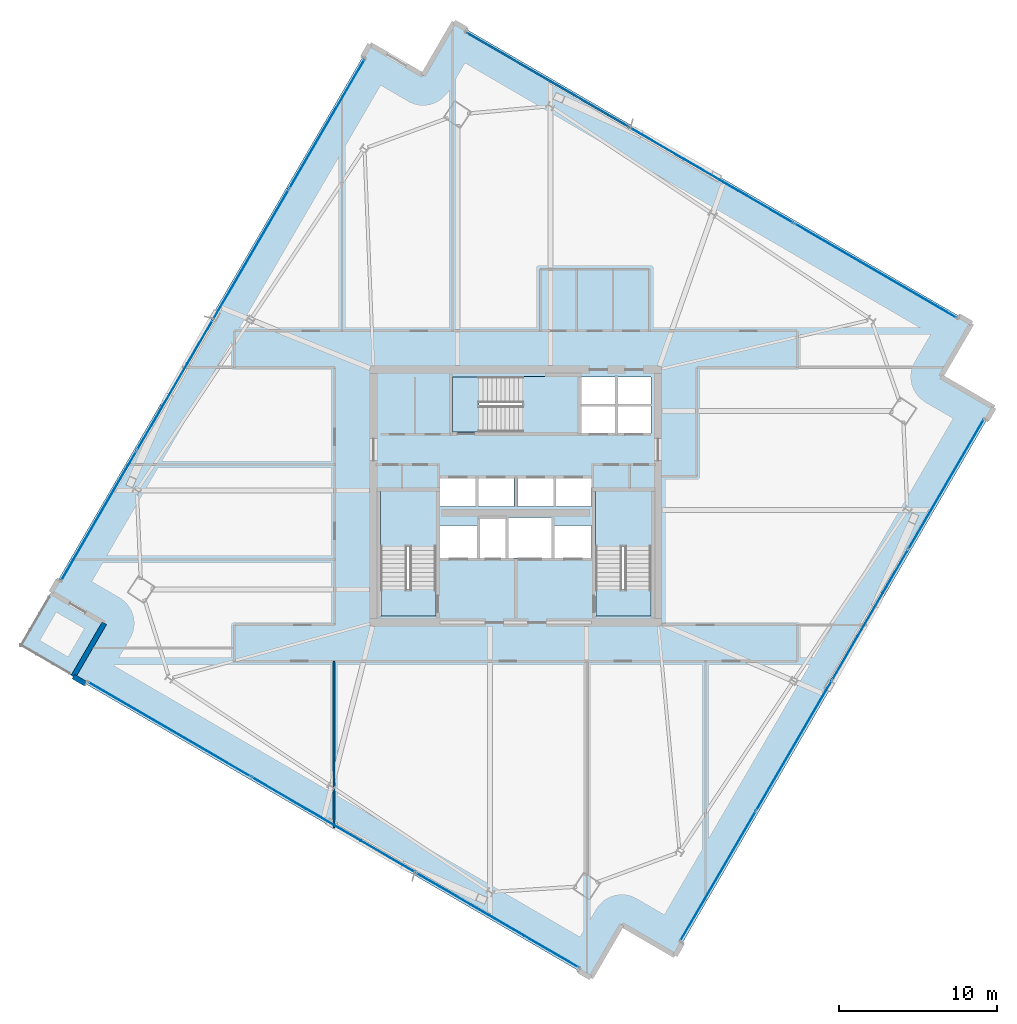
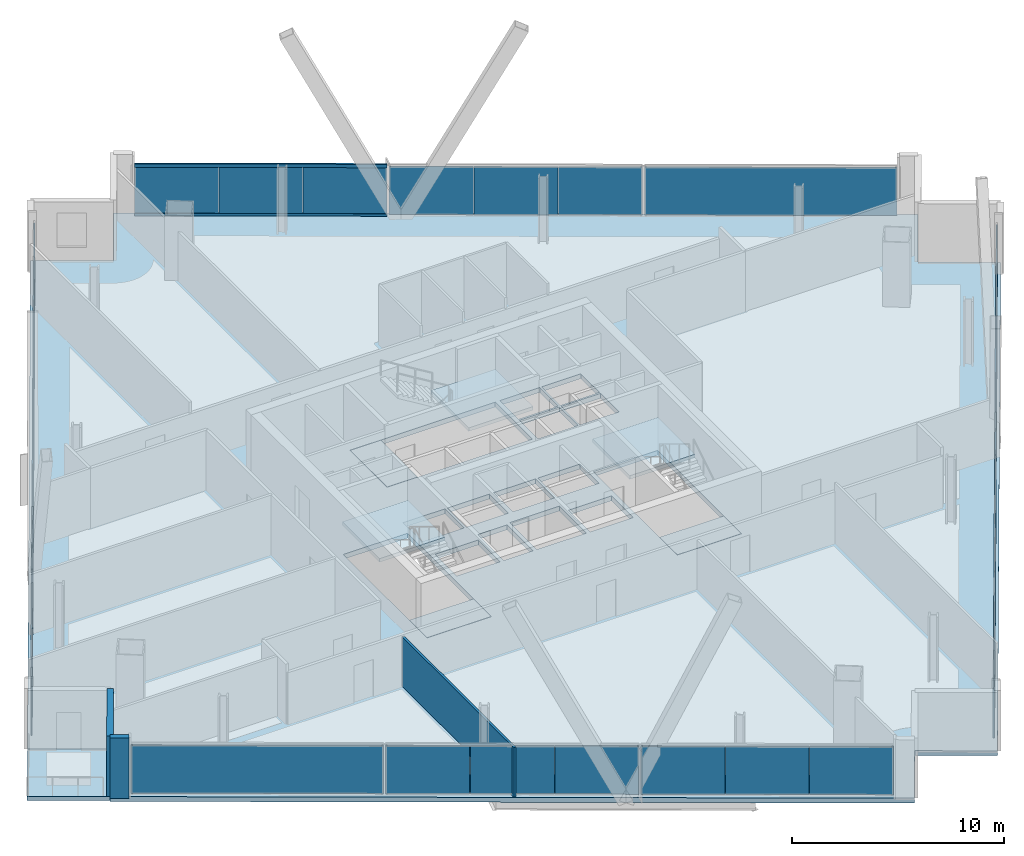
# One storey, part 20 of 29: 26 plates, 8 slabs, 3 walls, 2 members, 7 elements without a shape of their own.
"""IFC4 building model written with IfcOpenShell, lengths in metres."""

import ifcopenshell
import ifcopenshell.guid

model = None  # the IFC model being written
_history = None  # IfcOwnerHistory: only IFC2X3 demands one
_inside = {}  # id of a spatial element -> (the spatial element, [elements in it])
_under = {}  # id of a project, library or spatial element -> (it, [spatial elements below it])
_declared = {}  # id of a project -> (the project, [libraries it declares])
_typed = {}  # id of a type object -> (the type object, [elements of that type])
_made_of = {}  # id of a material, layer set ... -> (it, [elements and type objects made of it])


def new_model(schema):
    """Start an empty IFC model of exactly this schema.

    Asked for "IFC4X3", IfcOpenShell would pick the latest addendum, in which some entities
    have other attributes; the version numbers below select the first issue.
    IFC2X3 requires an IfcOwnerHistory on every rooted entity: one is made here for all.
    """
    global model, _history
    if schema == "IFC4X3":
        model = ifcopenshell.file(schema_version=(4, 3, 0, 0))
    else:
        model = ifcopenshell.file(schema=schema)
    _inside.clear()
    _under.clear()
    _declared.clear()
    _typed.clear()
    _made_of.clear()
    _history = None
    if model.schema == "IFC2X3":
        org = make("IfcOrganization", Name="unknown")
        user = make(
            "IfcPersonAndOrganization",
            ThePerson=make("IfcPerson", FamilyName="unknown"),
            TheOrganization=org,
        )
        app = make(
            "IfcApplication",
            ApplicationDeveloper=org,
            Version="unknown",
            ApplicationFullName="unknown",
            ApplicationIdentifier="unknown",
        )
        _history = make(
            "IfcOwnerHistory",
            OwningUser=user,
            OwningApplication=app,
            ChangeAction="ADDED",
            CreationDate=0,
        )
    return model


def make(cls, **values):
    """One entity of the class cls with the attributes given. An attribute that is None is left unset."""
    return model.create_entity(
        cls, **{name: value for name, value in values.items() if value is not None}
    )


def rooted(cls, **values):
    """An entity with a GlobalId (a new one), such as an element, a storey or a relation."""
    return make(cls, GlobalId=ifcopenshell.guid.new(), OwnerHistory=_history, **values)


def si_unit(unit_type, name, prefix=None):
    """IfcSIUnit, for example si_unit("LENGTHUNIT", "METRE", prefix="MILLI")."""
    return make("IfcSIUnit", UnitType=unit_type, Prefix=prefix, Name=name)


def assignment(units):
    """IfcUnitAssignment: the units of a project."""
    return None if units is None else make("IfcUnitAssignment", Units=units)


def point(xyz):
    """IfcCartesianPoint."""
    return None if xyz is None else make("IfcCartesianPoint", Coordinates=xyz)


def direction(xyz):
    """IfcDirection."""
    return None if xyz is None else make("IfcDirection", DirectionRatios=xyz)


def frame(location, z_axis=None, x_axis=None):
    """IfcAxis2Placement3D, a coordinate frame: its origin and axes. An axis left out is left unset."""
    return make(
        "IfcAxis2Placement3D",
        Location=point(location),
        Axis=direction(z_axis),
        RefDirection=direction(x_axis),
    )


def frame_2d(location, x_axis=None):
    """IfcAxis2Placement2D, a coordinate frame in the plane: its origin and x axis."""
    return make(
        "IfcAxis2Placement2D", Location=point(location), RefDirection=direction(x_axis)
    )


def origin():
    """The frame at (0, 0, 0) with its axes left unset."""
    return frame((0.0, 0.0, 0.0))


def origin_2d():
    """The frame at (0, 0) in the plane with its x axis left unset."""
    return frame_2d((0.0, 0.0))


def place(relative_to, where):
    """IfcLocalPlacement: puts the frame where relative to a parent placement (None: the world)."""
    return make(
        "IfcLocalPlacement", PlacementRelTo=relative_to, RelativePlacement=where
    )


def context(
    kind, dimensions, precision=None, world=None, true_north=None, identifier=None
):
    """IfcGeometricRepresentationContext, for example the 3D "Model" context."""
    return make(
        "IfcGeometricRepresentationContext",
        ContextIdentifier=identifier,
        ContextType=kind,
        CoordinateSpaceDimension=dimensions,
        Precision=precision,
        WorldCoordinateSystem=world,
        TrueNorth=true_north,
    )


def subcontext(parent, identifier, kind, view, scale=None):
    """IfcGeometricRepresentationSubContext, for example "Body" below "Model"."""
    return make(
        "IfcGeometricRepresentationSubContext",
        ContextIdentifier=identifier,
        ContextType=kind,
        ParentContext=parent,
        TargetScale=scale,
        TargetView=view,
    )


def project(units=None, contexts=None):
    """IfcProject with its units and contexts."""
    return rooted(
        "IfcProject",
        Name="project",
        RepresentationContexts=contexts,
        UnitsInContext=assignment(units),
    )


def spatial(cls, under=None, at=None, **own):
    """A site, building, storey or space (cls), placed at a placement, below another one or the project."""
    s = rooted(cls, ObjectPlacement=at, **own)
    if under is not None:
        _under.setdefault(under.id(), (under, []))[1].append(s)
    return s


def polyline(points):
    """IfcPolyline through the points."""
    return make("IfcPolyline", Points=[point(p) for p in points])


def profile(cls, at=None, kind="AREA", **sizes):
    """A parametric profile (cls). Its sizes go by their IFC names, for example OverallWidth=200.0."""
    return make(cls, ProfileType=kind, Position=at, **sizes)


def rectangle(**sizes):
    """IfcRectangleProfileDef."""
    return profile("IfcRectangleProfileDef", **sizes)


def hollow_rectangle(**sizes):
    """IfcRectangleHollowProfileDef."""
    return profile("IfcRectangleHollowProfileDef", **sizes)


def outline(outer, holes=None, kind="AREA"):
    """IfcArbitraryClosedProfileDef: a profile drawn as a closed curve; with holes, ...WithVoids."""
    if holes is None:
        return make("IfcArbitraryClosedProfileDef", ProfileType=kind, OuterCurve=outer)
    return make(
        "IfcArbitraryProfileDefWithVoids",
        ProfileType=kind,
        OuterCurve=outer,
        InnerCurves=holes,
    )


def extrude(swept, where, along, depth):
    """IfcExtrudedAreaSolid: the profile swept, set in the frame where, extruded along a direction by depth."""
    return make(
        "IfcExtrudedAreaSolid",
        SweptArea=swept,
        Position=where,
        ExtrudedDirection=direction(along),
        Depth=depth,
    )


def shape(context_of_items, identifier, shape_type, items):
    """IfcShapeRepresentation: the items that make up one representation, for example the "Body"."""
    return make(
        "IfcShapeRepresentation",
        ContextOfItems=context_of_items,
        RepresentationIdentifier=identifier,
        RepresentationType=shape_type,
        Items=items,
    )


def source(mapping_origin, context_of_items, identifier, shape_type, items):
    """IfcRepresentationMap: a shape defined once, which mapped items show again and again."""
    return make(
        "IfcRepresentationMap",
        MappingOrigin=mapping_origin,
        MappedRepresentation=shape(context_of_items, identifier, shape_type, items),
    )


def transform(
    local_origin,
    x_axis=None,
    y_axis=None,
    z_axis=None,
    scale=None,
    scale2=None,
    scale3=None,
    uniform=True,
):
    """IfcCartesianTransformationOperator3D, or its non-uniform kind. x_axis, y_axis, z_axis: its Axis1, 2, 3."""
    if uniform:
        return make(
            "IfcCartesianTransformationOperator3D",
            Axis1=direction(x_axis),
            Axis2=direction(y_axis),
            LocalOrigin=point(local_origin),
            Scale=scale,
            Axis3=direction(z_axis),
        )
    return make(
        "IfcCartesianTransformationOperator3DnonUniform",
        Axis1=direction(x_axis),
        Axis2=direction(y_axis),
        LocalOrigin=point(local_origin),
        Scale=scale,
        Axis3=direction(z_axis),
        Scale2=scale2,
        Scale3=scale3,
    )


def mapped(mapping_source, mapping_target):
    """IfcMappedItem: shows the shape of a source again, moved by a transform."""
    return make(
        "IfcMappedItem", MappingSource=mapping_source, MappingTarget=mapping_target
    )


def material(Name=None, Category=None):
    """IfcMaterial."""
    return make("IfcMaterial", Name=Name, Category=Category)


def layer(
    of_material, thickness, ventilated=None, Name=None, Category=None, Priority=None
):
    """IfcMaterialLayer: one layer of a wall or slab, of a material (None: an air gap)."""
    return make(
        "IfcMaterialLayer",
        Material=of_material,
        LayerThickness=thickness,
        IsVentilated=ventilated,
        Name=Name,
        Category=Category,
        Priority=Priority,
    )


def layer_set(layers, Name=None):
    """IfcMaterialLayerSet."""
    return make("IfcMaterialLayerSet", MaterialLayers=layers, LayerSetName=Name)


def material_profile(
    of_material, cross_section, Name=None, Category=None, Priority=None
):
    """IfcMaterialProfile: a cross section and its material."""
    return make(
        "IfcMaterialProfile",
        Name=Name,
        Material=of_material,
        Profile=cross_section,
        Priority=Priority,
        Category=Category,
    )


def profile_set(profiles, Name=None, composite=None):
    """IfcMaterialProfileSet."""
    return make(
        "IfcMaterialProfileSet",
        Name=Name,
        MaterialProfiles=profiles,
        CompositeProfile=composite,
    )


def made_of(thing, what):
    """Note that an element or type object is made of a material, layer set ...; save() writes the relation."""
    if what is not None:
        _made_of.setdefault(what.id(), (what, []))[1].append(thing)
    return thing


def type_object(cls, material=None, **own):
    """A type object (cls), such as IfcWallType, which elements share."""
    return made_of(rooted(cls, **own), material)


def element(
    cls,
    number,
    at=None,
    inside=None,
    cuts=None,
    type_object=None,
    material=None,
    context=None,
    identifier="Body",
    shape_type=None,
    held_by="IfcProductDefinitionShape",
    body=None,
    shapes=None,
    **own,
):
    """One element of the class cls, such as IfcWall. Its Tag is "e" and its number.

    at: its placement. inside: the storey or other place that contains it. cuts: it is an
    opening in that element (IfcRelVoidsElement). A single representation is given by context,
    identifier, shape_type and body (its items); several are given by shapes. held_by: the class
    of the entity that holds the representations. save() writes the other relations.
    """
    e = rooted(cls, Tag="e%d" % number, ObjectPlacement=at, **own)
    if body is not None:
        shapes = [shape(context, identifier, shape_type, body)]
    if shapes is not None:
        e.Representation = make(held_by, Representations=shapes)
    if inside is not None:
        _inside.setdefault(inside.id(), (inside, []))[1].append(e)
    if cuts is not None:
        rooted(
            "IfcRelVoidsElement", RelatingBuildingElement=cuts, RelatedOpeningElement=e
        )
    if type_object is not None:
        _typed.setdefault(type_object.id(), (type_object, []))[1].append(e)
    return made_of(e, material)


def aggregate(whole, parts):
    """IfcRelAggregates: a whole, such as a stair, and the parts it consists of."""
    return rooted("IfcRelAggregates", RelatingObject=whole, RelatedObjects=parts)


def save(model, path):
    """Write the relations noted so far, then the file.

    IfcRelAggregates (storeys below a building ...), IfcRelContainedInSpatialStructure (elements
    in a storey), IfcRelDefinesByType, IfcRelAssociatesMaterial and IfcRelDeclares: one each for
    every whole, place, type object, material and project.
    """
    for whole, parts in _under.values():
        aggregate(whole, parts)
    for where, things in _inside.values():
        rooted(
            "IfcRelContainedInSpatialStructure",
            RelatedElements=things,
            RelatingStructure=where,
        )
    for kind, things in _typed.values():
        rooted("IfcRelDefinesByType", RelatedObjects=things, RelatingType=kind)
    for what, things in _made_of.values():
        rooted("IfcRelAssociatesMaterial", RelatedObjects=things, RelatingMaterial=what)
    for by, libraries in _declared.values():
        rooted("IfcRelDeclares", RelatingContext=by, RelatedDefinitions=libraries)
    model.write(path)


model = new_model("IFC4")

# Units and contexts
model_context = context("Model", 3, precision=1e-05, world=origin(), true_north=direction((0.0, 1.0)))
body_context = subcontext(model_context, "Body", "Model", "MODEL_VIEW")
ifc_project = project(units=[si_unit("LENGTHUNIT", "METRE"), si_unit("AREAUNIT", "SQUARE_METRE"), si_unit("VOLUMEUNIT", "CUBIC_METRE"), si_unit("PLANEANGLEUNIT", "RADIAN"), si_unit("MASSUNIT", "GRAM", prefix="KILO")], contexts=[model_context])

# Site, building, storey
site_placement = place(None, origin())
site = spatial("IfcSite", under=ifc_project, at=site_placement, CompositionType="ELEMENT")
building_placement = place(site_placement, origin())
building = spatial("IfcBuilding", under=site, at=building_placement, Name="Haldenkirk Collegiate Tower", CompositionType="ELEMENT")
storey_placement = place(building_placement, frame((0.0, 0.0, 228.449951171875)))
storey = spatial("IfcBuildingStorey", under=building, at=storey_placement, Name="L57", CompositionType="ELEMENT", Elevation=228.449951171875)

# Curtain wall, members
ifc_material_1 = material(Name="Anodised architectural bronze aluminium", Category="aluminium")
curtain_wall_type_1 = type_object("IfcCurtainWallType", Name="CW-SYS1B-CONVEX-HI", PredefinedType="USERDEFINED", material=ifc_material_1)
curtain_wall_1_placement = place(storey_placement, origin())
curtain_wall_1 = element("IfcCurtainWall", 1, at=curtain_wall_1_placement, inside=storey, type_object=curtain_wall_type_1, Name="L57 Upper tower high-wind convex bronze unitised curtain wall", ObjectType="UNITISED CURTAIN WALL", PredefinedType="USERDEFINED")
ifc_material_profile = material_profile(ifc_material_1, hollow_rectangle(XDim=0.0849609375, YDim=0.199951171875, WallThickness=0.0048828125, at=origin_2d()), Name="CW-TRN-1B")
ifc_profile_set = profile_set([ifc_material_profile], Name="Anodised architectural bronze aluminium")
member_type = type_object("IfcMemberType", Name="CW-TRN-1B", PredefinedType="USERDEFINED", material=ifc_profile_set)
member_1_placement = place(storey_placement, frame((32.8623046875, 55.3291015625, 0.04248046875), z_axis=(0.864268212458, -0.503031268346, 0.0), x_axis=(0.503031268346, 0.864268212458, 0.0)))
member_1 = element("IfcMember", 2, at=member_1_placement, type_object=member_type, Name="CW-1B transom 1.1", ObjectType="TRANSOM", PredefinedType="USERDEFINED", context=body_context, shape_type="SweptSolid", body=[
    extrude(hollow_rectangle(XDim=0.0849609375, YDim=0.199951171875, WallThickness=0.0048828125, at=origin_2d()), origin(), (0.0, 0.0, 1.0), 11.897705078125),
])
member_2_placement = place(storey_placement, frame((32.8623046875, 55.3291015625, 2.885498046875), z_axis=(0.864268212458, -0.503031268346, 0.0), x_axis=(0.503031268346, 0.864268212458, 0.0)))
member_2 = element("IfcMember", 3, at=member_2_placement, type_object=member_type, Name="CW-1B transom 1.2", ObjectType="TRANSOM", PredefinedType="USERDEFINED", context=body_context, shape_type="SweptSolid", body=[
    extrude(hollow_rectangle(XDim=0.0849609375, YDim=0.199951171875, WallThickness=0.0048828125, at=origin_2d()), origin(), (0.0, 0.0, 1.0), 11.897705078125),
])

# Slab
ifc_material_2 = material(Name="Concrete f'c 40 MPa", Category="concrete")
ifc_layer_1 = layer(ifc_material_2, 0.280029296875)
ifc_layer_set_1 = layer_set([ifc_layer_1], Name="Concrete f'c 40 MPa")
slab_type_1 = type_object("IfcSlabType", Name="SLB-FLR-280", PredefinedType="FLOOR", material=ifc_layer_set_1)
slab_1_placement = place(storey_placement, frame((0.0, 0.0, -0.280029296875)))
element("IfcSlab", 4, at=slab_1_placement, inside=storey, type_object=slab_type_1, Name="L57 composite structural floor slab", PredefinedType="FLOOR", context=body_context, shape_type="SweptSolid", body=[
    extrude(outline(polyline([(46.07373046875, -3.061767578125), (66.244873046875, 31.595703125), (62.8740234375, 33.5576171875), (64.8359375, 36.92822265625), (32.1015625, 55.97998046875), (30.1396484375, 52.609375), (26.76904296875, 54.5712890625), (6.597900390625, 19.913818359375), (9.968505859375, 17.951904296875), (8.0068359375, 14.581298828125), (40.7412109375, -4.470458984375), (42.702880859375, -1.099853515625), (46.07373046875, -3.061767578125)]), holes=[polyline([(27.449951171875, 18.39990234375), (30.949951171875, 18.39990234375), (30.949951171875, 26.300048828125), (27.449951171875, 26.300048828125), (27.449951171875, 18.39990234375)]), polyline([(41.050048828125, 18.39990234375), (44.550048828125, 18.39990234375), (44.550048828125, 26.300048828125), (41.050048828125, 26.300048828125), (41.050048828125, 18.39990234375)]), polyline([(32.0, 30.050048828125), (39.89990234375, 30.050048828125), (39.89990234375, 33.550048828125), (32.0, 33.550048828125), (32.0, 30.050048828125)]), polyline([(33.75, 22.10009765625), (35.35009765625, 22.10009765625), (35.35009765625, 24.550048828125), (33.75, 24.550048828125), (33.75, 22.10009765625)]), polyline([(40.14990234375, 29.949951171875), (42.320068359375, 29.949951171875), (42.320068359375, 31.699951171875), (40.14990234375, 31.699951171875), (40.14990234375, 29.949951171875)]), polyline([(42.419921875, 29.949951171875), (44.550048828125, 29.949951171875), (44.550048828125, 31.699951171875), (42.419921875, 31.699951171875), (42.419921875, 29.949951171875)]), polyline([(40.14990234375, 31.800048828125), (42.320068359375, 31.800048828125), (42.320068359375, 33.550048828125), (40.14990234375, 33.550048828125), (40.14990234375, 31.800048828125)]), polyline([(42.419921875, 31.800048828125), (44.550048828125, 31.800048828125), (44.550048828125, 33.550048828125), (42.419921875, 33.550048828125), (42.419921875, 31.800048828125)]), polyline([(31.199951171875, 25.35009765625), (33.47998046875, 25.35009765625), (33.47998046875, 27.14990234375), (31.199951171875, 27.14990234375), (31.199951171875, 25.35009765625)]), polyline([(33.60009765625, 25.35009765625), (35.8798828125, 25.35009765625), (35.8798828125, 27.14990234375), (33.60009765625, 27.14990234375), (33.60009765625, 25.35009765625)]), polyline([(36.1201171875, 25.35009765625), (38.39990234375, 25.35009765625), (38.39990234375, 27.14990234375), (36.1201171875, 27.14990234375), (36.1201171875, 25.35009765625)]), polyline([(38.52001953125, 25.35009765625), (40.800048828125, 25.35009765625), (40.800048828125, 27.14990234375), (38.52001953125, 27.14990234375), (38.52001953125, 25.35009765625)]), polyline([(31.199951171875, 22.10009765625), (33.550048828125, 22.10009765625), (33.550048828125, 24.14990234375), (31.199951171875, 24.14990234375), (31.199951171875, 22.10009765625)]), polyline([(38.449951171875, 22.10009765625), (40.800048828125, 22.10009765625), (40.800048828125, 24.14990234375), (38.449951171875, 24.14990234375), (38.449951171875, 22.10009765625)]), polyline([(35.550048828125, 22.10009765625), (38.25, 22.10009765625), (38.25, 24.64990234375), (35.550048828125, 24.64990234375), (35.550048828125, 22.10009765625)])]), origin(), (0.0, 0.0, 1.0), 0.280029296875),
])

# Stair, slab
stair_type = type_object("IfcStairType", Name="STR-DOGLEG-1650", PredefinedType="HALF_TURN_STAIR", material=ifc_material_2)
stair_1_placement = place(storey_placement, origin())
stair_1 = element("IfcStair", 5, at=stair_1_placement, inside=storey, type_object=stair_type, Name="L57 Core Exit Stair ST-1", PredefinedType="HALF_TURN_STAIR")
ifc_layer_2 = layer(ifc_material_2, 0.199951171875)
ifc_layer_set_2 = layer_set([ifc_layer_2], Name="Concrete f'c 40 MPa")
slab_type_2 = type_object("IfcSlabType", Name="SLB-LANDING-200", PredefinedType="LANDING", material=ifc_layer_set_2)
slab_2_placement = place(storey_placement, frame((0.0, 0.0, 1.675048828125)))
slab_2 = element("IfcSlab", 6, at=slab_2_placement, type_object=slab_type_2, Name="ST-1 landing 1", PredefinedType="LANDING", context=body_context, shape_type="SweptSolid", body=[
    extrude(outline(polyline([(30.97509765625, 22.824951171875), (27.425048828125, 22.824951171875), (27.425048828125, 26.324951171875), (30.97509765625, 26.324951171875), (30.97509765625, 22.824951171875)])), origin(), (0.0, 0.0, 1.0), 0.199951171875),
])
aggregate(stair_1, [slab_2])

stair_2_placement = place(storey_placement, origin())
stair_2 = element("IfcStair", 7, at=stair_2_placement, inside=storey, type_object=stair_type, Name="L57 Core Exit Stair ST-2", PredefinedType="HALF_TURN_STAIR")
slab_3_placement = place(storey_placement, frame((0.0, 0.0, 1.675048828125)))
slab_3 = element("IfcSlab", 8, at=slab_3_placement, type_object=slab_type_2, Name="ST-2 landing 1", PredefinedType="LANDING", context=body_context, shape_type="SweptSolid", body=[
    extrude(outline(polyline([(44.574951171875, 22.824951171875), (41.02490234375, 22.824951171875), (41.02490234375, 26.324951171875), (44.574951171875, 26.324951171875), (44.574951171875, 22.824951171875)])), origin(), (0.0, 0.0, 1.0), 0.199951171875),
])
aggregate(stair_2, [slab_3])

stair_3_placement = place(storey_placement, origin())
stair_3 = element("IfcStair", 9, at=stair_3_placement, inside=storey, type_object=stair_type, Name="L57 Core Exit Stair ST-3", PredefinedType="HALF_TURN_STAIR")
slab_4_placement = place(storey_placement, frame((0.0, 0.0, 1.675048828125)))
slab_4 = element("IfcSlab", 10, at=slab_4_placement, type_object=slab_type_2, Name="ST-3 landing 1", PredefinedType="LANDING", context=body_context, shape_type="SweptSolid", body=[
    extrude(outline(polyline([(36.425048828125, 30.02490234375), (36.425048828125, 33.574951171875), (39.925048828125, 33.574951171875), (39.925048828125, 30.02490234375), (36.425048828125, 30.02490234375)])), origin(), (0.0, 0.0, 1.0), 0.199951171875),
])
aggregate(stair_3, [slab_4])

# Slabs
ifc_layer_3 = layer(ifc_material_2, 0.25)
ifc_layer_set_3 = layer_set([ifc_layer_3], Name="Concrete f'c 40 MPa")
slab_type_3 = type_object("IfcSlabType", Name="SLB-STAIRLAND-250", PredefinedType="LANDING", material=ifc_layer_set_3)
slab_5_placement = place(storey_placement, frame((0.0, 0.0, -0.25)))
element("IfcSlab", 11, at=slab_5_placement, inside=storey, type_object=slab_type_3, Name="L57 stair ST1 structural floor landing slab", PredefinedType="LANDING", context=body_context, shape_type="SweptSolid", body=[
    extrude(outline(polyline([(27.4599609375, 18.409912109375), (30.93994140625, 18.409912109375), (30.93994140625, 20.080078125), (27.4599609375, 20.080078125), (27.4599609375, 18.409912109375)])), origin(), (0.0, 0.0, 1.0), 0.25),
])
slab_6_placement = place(storey_placement, frame((0.0, 0.0, -0.25)))
element("IfcSlab", 12, at=slab_6_placement, inside=storey, type_object=slab_type_3, Name="L57 stair ST2 structural floor landing slab", PredefinedType="LANDING", context=body_context, shape_type="SweptSolid", body=[
    extrude(outline(polyline([(41.06005859375, 18.409912109375), (44.5400390625, 18.409912109375), (44.5400390625, 20.080078125), (41.06005859375, 20.080078125), (41.06005859375, 18.409912109375)])), origin(), (0.0, 0.0, 1.0), 0.25),
])
slab_7_placement = place(storey_placement, frame((0.0, 0.0, -0.25)))
element("IfcSlab", 13, at=slab_7_placement, inside=storey, type_object=slab_type_3, Name="L57 stair ST3 structural floor landing slab", PredefinedType="LANDING", context=body_context, shape_type="SweptSolid", body=[
    extrude(outline(polyline([(32.010009765625, 30.06005859375), (33.679931640625, 30.06005859375), (33.679931640625, 33.5400390625), (32.010009765625, 33.5400390625), (32.010009765625, 30.06005859375)])), origin(), (0.0, 0.0, 1.0), 0.25),
])
ifc_layer_4 = layer(ifc_material_2, 0.22998046875)
ifc_layer_set_4 = layer_set([ifc_layer_4], Name="Concrete f'c 40 MPa")
slab_type_4 = type_object("IfcSlabType", Name="SLB-TERR-SPIRAL-230", PredefinedType="FLOOR", material=ifc_layer_set_4)
slab_8_placement = place(storey_placement, frame((0.0, 0.0, -0.22998046875)))
element("IfcSlab", 14, at=slab_8_placement, inside=storey, type_object=slab_type_4, Name="L57 spiralling corner terrace slab", PredefinedType="FLOOR", context=body_context, shape_type="SweptSolid", body=[
    extrude(outline(polyline([(8.0068359375, 14.581298828125), (9.968505859375, 17.951904296875), (6.597900390625, 19.913818359375), (4.635986328125, 16.543212890625), (8.0068359375, 14.581298828125)])), origin(), (0.0, 0.0, 1.0), 0.22998046875),
])

# Curtain wall, plates
curtain_wall_type_2 = type_object("IfcCurtainWallType", Name="CW-SYS2-CONCAVE", PredefinedType="USERDEFINED", material=ifc_material_1)
curtain_wall_2_placement = place(storey_placement, origin())
curtain_wall_2 = element("IfcCurtainWall", 15, at=curtain_wall_2_placement, inside=storey, type_object=curtain_wall_type_2, Name="L57 South concave recessed bronze-anodised curtain wall", ObjectType="UNITISED CURTAIN WALL", PredefinedType="USERDEFINED")
ifc_material_3 = material(Name="Bronze-anodised insulated aluminium spandrel panel", Category="aluminium")
ifc_layer_5 = layer(ifc_material_3, 0.0419921875)
ifc_layer_set_5 = layer_set([ifc_layer_5], Name="Bronze-anodised insulated aluminium spandrel panel")
plate_type_1 = type_object("IfcPlateType", Name="CW-SPD-02", PredefinedType="CURTAIN_PANEL", material=ifc_layer_set_5)
shared_shape_1 = source(origin(), body_context, "Body", "SweptSolid", [
    extrude(rectangle(XDim=3.1416015625, YDim=0.0419921875, at=origin_2d()), origin(), (0.0, 0.0, 1.0), 2.778076171875),
])
plate_1_placement = place(storey_placement, frame((58.411865234375, 18.495361328125, 0.0751953125), z_axis=(0.0, 0.0, 1.0), x_axis=(-0.503018662205, -0.864275549506, 0.0)))
plate_1 = element("IfcPlate", 16, at=plate_1_placement, type_object=plate_type_1, Name="CW-02 spandrel panel 2.1b", PredefinedType="CURTAIN_PANEL", context=body_context, shape_type="MappedRepresentation", body=[
    mapped(shared_shape_1, transform((0.0, 0.0, 0.0), x_axis=(1.0, 0.0, 0.0), y_axis=(0.0, 1.0, 0.0), z_axis=(0.0, 0.0, 1.0), scale=1.0)),
])
shared_shape_2 = source(origin(), body_context, "Body", "SweptSolid", [
    extrude(rectangle(XDim=3.154296875, YDim=0.0419921875, at=origin_2d()), origin(), (0.0, 0.0, 1.0), 2.778076171875),
])
plate_2_placement = place(storey_placement, frame((60.0078125, 21.237548828125, 0.0751953125), z_axis=(0.0, 0.0, 1.0), x_axis=(-0.503018662205, -0.864275549506, 0.0)))
plate_2 = element("IfcPlate", 17, at=plate_2_placement, type_object=plate_type_1, Name="CW-02 spandrel panel 2.1a", PredefinedType="CURTAIN_PANEL", context=body_context, shape_type="MappedRepresentation", body=[
    mapped(shared_shape_2, transform((0.0, 0.0, 0.0), x_axis=(1.0, 0.0, 0.0), y_axis=(0.0, 1.0, 0.0), z_axis=(0.0, 0.0, 1.0), scale=1.0)),
])
ifc_material_4 = material(Name="Low-E argon triple insulating glass", Category="glass")
ifc_layer_6 = layer(ifc_material_4, 0.0419921875)
ifc_layer_set_6 = layer_set([ifc_layer_6], Name="Low-E argon triple insulating glass")
plate_type_2 = type_object("IfcPlateType", Name="CW-PNL-02", PredefinedType="CURTAIN_PANEL", material=ifc_layer_set_6)
plate_3_placement = place(storey_placement, frame((56.81591796875, 15.7529296875, 0.0751953125), z_axis=(0.0, 0.0, 1.0), x_axis=(-0.503018662205, -0.864275549506, 0.0)))
plate_3 = element("IfcPlate", 18, at=plate_3_placement, type_object=plate_type_2, Name="CW-02 panel 2.1c", PredefinedType="CURTAIN_PANEL", context=body_context, shape_type="MappedRepresentation", body=[
    mapped(shared_shape_2, transform((0.0, 0.0, 0.0), x_axis=(1.0, 0.0, 0.0), y_axis=(0.0, 1.0, 0.0), z_axis=(0.0, 0.0, 1.0), scale=1.0)),
])

# Plate
ifc_layer_7 = layer(ifc_material_4, 0.048095703125)
ifc_layer_set_7 = layer_set([ifc_layer_7], Name="Low-E argon triple insulating glass")
plate_type_3 = type_object("IfcPlateType", Name="CW-PNL-1B", PredefinedType="CURTAIN_PANEL", material=ifc_layer_set_7)
shared_shape_3 = source(origin(), body_context, "Body", "SweptSolid", [
    extrude(rectangle(XDim=3.953369140625, YDim=0.048095703125, at=origin_2d()), origin(), (0.0, 0.0, 1.0), 2.758056640625),
])
plate_4_placement = place(storey_placement, frame((34.57080078125, 54.334716796875, 0.0849609375), z_axis=(0.0, 0.0, 1.0), x_axis=(0.864274740858, -0.503020051603, 0.0)))
plate_4 = element("IfcPlate", 19, at=plate_4_placement, type_object=plate_type_3, Name="CW-1B panel 1.1a", PredefinedType="CURTAIN_PANEL", context=body_context, shape_type="MappedRepresentation", body=[
    mapped(shared_shape_3, transform((0.0, 0.0, 0.0), x_axis=(1.0, 0.0, 0.0), y_axis=(0.0, 1.0, 0.0), z_axis=(0.0, 0.0, 1.0), scale=1.0)),
])

ifc_layer_8 = layer(ifc_material_3, 0.048095703125)
ifc_layer_set_8 = layer_set([ifc_layer_8], Name="Bronze-anodised insulated aluminium spandrel panel")
plate_type_4 = type_object("IfcPlateType", Name="CW-SPD-1B", PredefinedType="CURTAIN_PANEL", material=ifc_layer_set_8)
plate_5_placement = place(storey_placement, frame((41.4365234375, 50.338623046875, 0.0849609375), z_axis=(0.0, 0.0, 1.0), x_axis=(0.864274740858, -0.503020051603, 0.0)))
plate_5 = element("IfcPlate", 20, at=plate_5_placement, type_object=plate_type_4, Name="CW-1B spandrel panel 1.1c", PredefinedType="CURTAIN_PANEL", context=body_context, shape_type="MappedRepresentation", body=[
    mapped(shared_shape_3, transform((0.0, 0.0, 0.0), x_axis=(1.0, 0.0, 0.0), y_axis=(0.0, 1.0, 0.0), z_axis=(0.0, 0.0, 1.0), scale=1.0)),
])

# Curtain wall, plates
curtain_wall_3_placement = place(storey_placement, origin())
curtain_wall_3 = element("IfcCurtainWall", 21, at=curtain_wall_3_placement, inside=storey, type_object=curtain_wall_type_1, Name="L57 Upper tower high-wind convex bronze unitised curtain wall", ObjectType="UNITISED CURTAIN WALL", PredefinedType="USERDEFINED")
plate_6_placement = place(storey_placement, frame((38.27197265625, -2.8251953125, 0.0849609375), z_axis=(0.0, 0.0, 1.0), x_axis=(-0.864275945972, 0.503017981006, 0.0)))
plate_6 = element("IfcPlate", 22, at=plate_6_placement, type_object=plate_type_3, Name="CW-1B panel 1.1a", PredefinedType="CURTAIN_PANEL", context=body_context, shape_type="MappedRepresentation", body=[
    mapped(shared_shape_3, transform((0.0, 0.0, 0.0), x_axis=(1.0, 0.0, 0.0), y_axis=(0.0, 1.0, 0.0), z_axis=(0.0, 0.0, 1.0), scale=1.0)),
])
plate_7_placement = place(storey_placement, frame((31.406005859375, 1.1708984375, 0.0849609375), z_axis=(0.0, 0.0, 1.0), x_axis=(-0.864275945972, 0.503017981006, 0.0)))
plate_7 = element("IfcPlate", 23, at=plate_7_placement, type_object=plate_type_4, Name="CW-1B spandrel panel 1.1c", PredefinedType="CURTAIN_PANEL", context=body_context, shape_type="MappedRepresentation", body=[
    mapped(shared_shape_3, transform((0.0, 0.0, 0.0), x_axis=(1.0, 0.0, 0.0), y_axis=(0.0, 1.0, 0.0), z_axis=(0.0, 0.0, 1.0), scale=1.0)),
])

# Plate
shared_shape_4 = source(origin(), body_context, "Body", "SweptSolid", [
    extrude(rectangle(XDim=3.94091796875, YDim=0.048095703125, at=origin_2d()), origin(), (0.0, 0.0, 1.0), 2.758056640625),
])
plate_8_placement = place(storey_placement, frame((38.003662109375, 52.336669921875, 0.0849609375), z_axis=(0.0, 0.0, 1.0), x_axis=(0.864274740858, -0.503020051603, 0.0)))
plate_8 = element("IfcPlate", 24, at=plate_8_placement, type_object=plate_type_3, Name="CW-1B panel 1.1b", PredefinedType="CURTAIN_PANEL", context=body_context, shape_type="MappedRepresentation", body=[
    mapped(shared_shape_4, transform((0.0, 0.0, 0.0), x_axis=(1.0, 0.0, 0.0), y_axis=(0.0, 1.0, 0.0), z_axis=(0.0, 0.0, 1.0), scale=1.0)),
])

plate_9_placement = place(storey_placement, frame((34.839111328125, -0.8271484375, 0.0849609375), z_axis=(0.0, 0.0, 1.0), x_axis=(-0.864275945972, 0.503017981006, 0.0)))
plate_9 = element("IfcPlate", 25, at=plate_9_placement, type_object=plate_type_3, Name="CW-1B panel 1.1b", PredefinedType="CURTAIN_PANEL", context=body_context, shape_type="MappedRepresentation", body=[
    mapped(shared_shape_4, transform((0.0, 0.0, 0.0), x_axis=(1.0, 0.0, 0.0), y_axis=(0.0, 1.0, 0.0), z_axis=(0.0, 0.0, 1.0), scale=1.0)),
])

shared_shape_5 = source(origin(), body_context, "Body", "SweptSolid", [
    extrude(rectangle(XDim=3.967529296875, YDim=0.048095703125, at=origin_2d()), origin(), (0.0, 0.0, 1.0), 2.758056640625),
])
plate_10_placement = place(storey_placement, frame((44.93310546875, 48.3037109375, 0.0849609375), z_axis=(0.0, 0.0, 1.0), x_axis=(0.864274740858, -0.503020051603, 0.0)))
plate_10 = element("IfcPlate", 26, at=plate_10_placement, type_object=plate_type_4, Name="CW-1B spandrel panel 2.1a", PredefinedType="CURTAIN_PANEL", context=body_context, shape_type="MappedRepresentation", body=[
    mapped(shared_shape_5, transform((0.0, 0.0, 0.0), x_axis=(1.0, 0.0, 0.0), y_axis=(0.0, 1.0, 0.0), z_axis=(0.0, 0.0, 1.0), scale=1.0)),
])

plate_11_placement = place(storey_placement, frame((51.823486328125, 44.29345703125, 0.0849609375), z_axis=(0.0, 0.0, 1.0), x_axis=(0.864274740858, -0.503020051603, 0.0)))
plate_11 = element("IfcPlate", 27, at=plate_11_placement, type_object=plate_type_3, Name="CW-1B panel 2.1c", PredefinedType="CURTAIN_PANEL", context=body_context, shape_type="MappedRepresentation", body=[
    mapped(shared_shape_5, transform((0.0, 0.0, 0.0), x_axis=(1.0, 0.0, 0.0), y_axis=(0.0, 1.0, 0.0), z_axis=(0.0, 0.0, 1.0), scale=1.0)),
])

plate_12_placement = place(storey_placement, frame((27.90966796875, 3.205810546875, 0.0849609375), z_axis=(0.0, 0.0, 1.0), x_axis=(-0.864275945972, 0.503017981006, 0.0)))
plate_12 = element("IfcPlate", 28, at=plate_12_placement, type_object=plate_type_4, Name="CW-1B spandrel panel 2.1a", PredefinedType="CURTAIN_PANEL", context=body_context, shape_type="MappedRepresentation", body=[
    mapped(shared_shape_5, transform((0.0, 0.0, 0.0), x_axis=(1.0, 0.0, 0.0), y_axis=(0.0, 1.0, 0.0), z_axis=(0.0, 0.0, 1.0), scale=1.0)),
])

plate_13_placement = place(storey_placement, frame((21.019287109375, 7.21630859375, 0.0849609375), z_axis=(0.0, 0.0, 1.0), x_axis=(-0.864275945972, 0.503017981006, 0.0)))
plate_13 = element("IfcPlate", 29, at=plate_13_placement, type_object=plate_type_3, Name="CW-1B panel 2.1c", PredefinedType="CURTAIN_PANEL", context=body_context, shape_type="MappedRepresentation", body=[
    mapped(shared_shape_5, transform((0.0, 0.0, 0.0), x_axis=(1.0, 0.0, 0.0), y_axis=(0.0, 1.0, 0.0), z_axis=(0.0, 0.0, 1.0), scale=1.0)),
])

shared_shape_6 = source(origin(), body_context, "Body", "SweptSolid", [
    extrude(rectangle(XDim=3.955078125, YDim=0.048095703125, at=origin_2d()), origin(), (0.0, 0.0, 1.0), 2.758056640625),
])
plate_14_placement = place(storey_placement, frame((48.378173828125, 46.298583984375, 0.0849609375), z_axis=(0.0, 0.0, 1.0), x_axis=(0.864274740858, -0.503020051603, 0.0)))
plate_14 = element("IfcPlate", 30, at=plate_14_placement, type_object=plate_type_3, Name="CW-1B panel 2.1b", PredefinedType="CURTAIN_PANEL", context=body_context, shape_type="MappedRepresentation", body=[
    mapped(shared_shape_6, transform((0.0, 0.0, 0.0), x_axis=(1.0, 0.0, 0.0), y_axis=(0.0, 1.0, 0.0), z_axis=(0.0, 0.0, 1.0), scale=1.0)),
])

plate_15_placement = place(storey_placement, frame((24.464599609375, 5.2109375, 0.0849609375), z_axis=(0.0, 0.0, 1.0), x_axis=(-0.864275945972, 0.503017981006, 0.0)))
plate_15 = element("IfcPlate", 31, at=plate_15_placement, type_object=plate_type_3, Name="CW-1B panel 2.1b", PredefinedType="CURTAIN_PANEL", context=body_context, shape_type="MappedRepresentation", body=[
    mapped(shared_shape_6, transform((0.0, 0.0, 0.0), x_axis=(1.0, 0.0, 0.0), y_axis=(0.0, 1.0, 0.0), z_axis=(0.0, 0.0, 1.0), scale=1.0)),
])

# Curtain wall, plates
curtain_wall_4_placement = place(storey_placement, origin())
curtain_wall_4 = element("IfcCurtainWall", 32, at=curtain_wall_4_placement, inside=storey, type_object=curtain_wall_type_1, Name="L57 Upper tower high-wind convex bronze unitised curtain wall", ObjectType="UNITISED CURTAIN WALL", PredefinedType="USERDEFINED")
shared_shape_7 = source(origin(), body_context, "Body", "SweptSolid", [
    extrude(rectangle(XDim=3.15087890625, YDim=0.048095703125, at=origin_2d()), origin(), (0.0, 0.0, 1.0), 2.758056640625),
])
plate_16_placement = place(storey_placement, frame((12.83642578125, 30.27490234375, 0.0849609375), z_axis=(0.0, 0.0, 1.0), x_axis=(0.503019797309, 0.864274888861, 0.0)))
plate_16 = element("IfcPlate", 33, at=plate_16_placement, type_object=plate_type_4, Name="CW-1B spandrel panel 2.1a", PredefinedType="CURTAIN_PANEL", context=body_context, shape_type="MappedRepresentation", body=[
    mapped(shared_shape_7, transform((0.0, 0.0, 0.0), x_axis=(1.0, 0.0, 0.0), y_axis=(0.0, 1.0, 0.0), z_axis=(0.0, 0.0, 1.0), scale=1.0)),
])
plate_17_placement = place(storey_placement, frame((16.025146484375, 35.753662109375, 0.0849609375), z_axis=(0.0, 0.0, 1.0), x_axis=(0.503019797309, 0.864274888861, 0.0)))
plate_17 = element("IfcPlate", 34, at=plate_17_placement, type_object=plate_type_3, Name="CW-1B panel 2.1c", PredefinedType="CURTAIN_PANEL", context=body_context, shape_type="MappedRepresentation", body=[
    mapped(shared_shape_7, transform((0.0, 0.0, 0.0), x_axis=(1.0, 0.0, 0.0), y_axis=(0.0, 1.0, 0.0), z_axis=(0.0, 0.0, 1.0), scale=1.0)),
])
shared_shape_8 = source(origin(), body_context, "Body", "SweptSolid", [
    extrude(rectangle(XDim=3.13818359375, YDim=0.048095703125, at=origin_2d()), origin(), (0.0, 0.0, 1.0), 2.758056640625),
])
plate_18_placement = place(storey_placement, frame((14.430908203125, 33.014404296875, 0.0849609375), z_axis=(0.0, 0.0, 1.0), x_axis=(0.503019797309, 0.864274888861, 0.0)))
plate_18 = element("IfcPlate", 35, at=plate_18_placement, type_object=plate_type_4, Name="CW-1B spandrel panel 2.1b", PredefinedType="CURTAIN_PANEL", context=body_context, shape_type="MappedRepresentation", body=[
    mapped(shared_shape_8, transform((0.0, 0.0, 0.0), x_axis=(1.0, 0.0, 0.0), y_axis=(0.0, 1.0, 0.0), z_axis=(0.0, 0.0, 1.0), scale=1.0)),
])
shared_shape_9 = source(origin(), body_context, "Body", "SweptSolid", [
    extrude(rectangle(XDim=9.489990234375, YDim=0.048095703125, at=origin_2d()), origin(), (0.0, 0.0, 1.0), 2.758056640625),
])
plate_19_placement = place(storey_placement, frame((19.247314453125, 41.289794921875, 0.0849609375), z_axis=(0.0, 0.0, 1.0), x_axis=(0.503019797309, 0.864274888861, 0.0)))
plate_19 = element("IfcPlate", 36, at=plate_19_placement, type_object=plate_type_3, Name="CW-1B panel 3.1", PredefinedType="CURTAIN_PANEL", context=body_context, shape_type="MappedRepresentation", body=[
    mapped(shared_shape_9, transform((0.0, 0.0, 0.0), x_axis=(1.0, 0.0, 0.0), y_axis=(0.0, 1.0, 0.0), z_axis=(0.0, 0.0, 1.0), scale=1.0)),
])
shared_shape_10 = source(origin(), body_context, "Body", "SweptSolid", [
    extrude(rectangle(XDim=9.447509765625, YDim=0.048095703125, at=origin_2d()), origin(), (0.0, 0.0, 1.0), 2.758056640625),
])
plate_20_placement = place(storey_placement, frame((9.625, 24.757080078125, 0.0849609375), z_axis=(0.0, 0.0, 1.0), x_axis=(0.503019797309, 0.864274888861, 0.0)))
plate_20 = element("IfcPlate", 37, at=plate_20_placement, type_object=plate_type_3, Name="CW-1B panel 1.1", PredefinedType="CURTAIN_PANEL", context=body_context, shape_type="MappedRepresentation", body=[
    mapped(shared_shape_10, transform((0.0, 0.0, 0.0), x_axis=(1.0, 0.0, 0.0), y_axis=(0.0, 1.0, 0.0), z_axis=(0.0, 0.0, 1.0), scale=1.0)),
])
plate_21_placement = place(storey_placement, frame((24.052978515625, 49.546875, 0.0849609375), z_axis=(0.0, 0.0, 1.0), x_axis=(0.503019797309, 0.864274888861, 0.0)))
plate_21 = element("IfcPlate", 38, at=plate_21_placement, type_object=plate_type_3, Name="CW-1B panel 4.1", PredefinedType="CURTAIN_PANEL", context=body_context, shape_type="MappedRepresentation", body=[
    mapped(shared_shape_10, transform((0.0, 0.0, 0.0), x_axis=(1.0, 0.0, 0.0), y_axis=(0.0, 1.0, 0.0), z_axis=(0.0, 0.0, 1.0), scale=1.0)),
])
aggregate(curtain_wall_4, [plate_20, plate_16, plate_18, plate_17, plate_19, plate_21])

# Plate
shared_shape_11 = source(origin(), body_context, "Body", "SweptSolid", [
    extrude(rectangle(XDim=11.8974609375, YDim=0.048095703125, at=origin_2d()), origin(), (0.0, 0.0, 1.0), 2.758056640625),
])
plate_22_placement = place(storey_placement, frame((58.752685546875, 40.260498046875, 0.0849609375), z_axis=(0.0, 0.0, 1.0), x_axis=(0.864274740858, -0.503020051603, 0.0)))
plate_22 = element("IfcPlate", 39, at=plate_22_placement, type_object=plate_type_3, Name="CW-1B panel 3.1", PredefinedType="CURTAIN_PANEL", context=body_context, shape_type="MappedRepresentation", body=[
    mapped(shared_shape_11, transform((0.0, 0.0, 0.0), x_axis=(1.0, 0.0, 0.0), y_axis=(0.0, 1.0, 0.0), z_axis=(0.0, 0.0, 1.0), scale=1.0)),
])

aggregate(curtain_wall_1, [member_1, member_2, plate_4, plate_8, plate_5, plate_10, plate_14, plate_11, plate_22])

plate_23_placement = place(storey_placement, frame((14.08984375, 11.2490234375, 0.0849609375), z_axis=(0.0, 0.0, 1.0), x_axis=(-0.864275945972, 0.503017981006, 0.0)))
plate_23 = element("IfcPlate", 40, at=plate_23_placement, type_object=plate_type_3, Name="CW-1B panel 3.1", PredefinedType="CURTAIN_PANEL", context=body_context, shape_type="MappedRepresentation", body=[
    mapped(shared_shape_11, transform((0.0, 0.0, 0.0), x_axis=(1.0, 0.0, 0.0), y_axis=(0.0, 1.0, 0.0), z_axis=(0.0, 0.0, 1.0), scale=1.0)),
])

aggregate(curtain_wall_3, [plate_6, plate_9, plate_7, plate_12, plate_15, plate_13, plate_23])

shared_shape_12 = source(origin(), body_context, "Body", "SweptSolid", [
    extrude(rectangle(XDim=9.462646484375, YDim=0.0419921875, at=origin_2d()), origin(), (0.0, 0.0, 1.0), 2.778076171875),
])
plate_24_placement = place(storey_placement, frame((63.21875, 26.754638671875, 0.0751953125), z_axis=(0.0, 0.0, 1.0), x_axis=(-0.503018662205, -0.864275549506, 0.0)))
plate_24 = element("IfcPlate", 41, at=plate_24_placement, type_object=plate_type_2, Name="CW-02 panel 1.1", PredefinedType="CURTAIN_PANEL", context=body_context, shape_type="MappedRepresentation", body=[
    mapped(shared_shape_12, transform((0.0, 0.0, 0.0), x_axis=(1.0, 0.0, 0.0), y_axis=(0.0, 1.0, 0.0), z_axis=(0.0, 0.0, 1.0), scale=1.0)),
])

plate_25_placement = place(storey_placement, frame((48.788330078125, 1.96044921875, 0.0751953125), z_axis=(0.0, 0.0, 1.0), x_axis=(-0.503018662205, -0.864275549506, 0.0)))
plate_25 = element("IfcPlate", 42, at=plate_25_placement, type_object=plate_type_2, Name="CW-02 panel 4.1", PredefinedType="CURTAIN_PANEL", context=body_context, shape_type="MappedRepresentation", body=[
    mapped(shared_shape_12, transform((0.0, 0.0, 0.0), x_axis=(1.0, 0.0, 0.0), y_axis=(0.0, 1.0, 0.0), z_axis=(0.0, 0.0, 1.0), scale=1.0)),
])

shared_shape_13 = source(origin(), body_context, "Body", "SweptSolid", [
    extrude(rectangle(XDim=9.5, YDim=0.0419921875, at=origin_2d()), origin(), (0.0, 0.0, 1.0), 2.778076171875),
])
plate_26_placement = place(storey_placement, frame((53.595458984375, 10.2197265625, 0.0751953125), z_axis=(0.0, 0.0, 1.0), x_axis=(-0.503018662205, -0.864275549506, 0.0)))
plate_26 = element("IfcPlate", 43, at=plate_26_placement, type_object=plate_type_2, Name="CW-02 panel 3.1", PredefinedType="CURTAIN_PANEL", context=body_context, shape_type="MappedRepresentation", body=[
    mapped(shared_shape_13, transform((0.0, 0.0, 0.0), x_axis=(1.0, 0.0, 0.0), y_axis=(0.0, 1.0, 0.0), z_axis=(0.0, 0.0, 1.0), scale=1.0)),
])

aggregate(curtain_wall_2, [plate_24, plate_2, plate_1, plate_3, plate_26, plate_25])

# Walls
ifc_material_5 = material(Name="Precast concrete f'c 40 MPa", Category="concrete")
ifc_layer_9 = layer(ifc_material_5, 0.320068359375)
ifc_layer_set_9 = layer_set([ifc_layer_9], Name="Precast concrete f'c 40 MPa")
wall_type_1 = type_object("IfcWallType", Name="WL-EXT-TWR-320", PredefinedType="STANDARD", material=ifc_layer_set_9)
wall_1_placement = place(storey_placement, frame((8.0068359375, 14.581298828125, 0.0), z_axis=(0.0, 0.0, 1.0), x_axis=(0.503006671867, 0.864282527914, 0.0)))
element("IfcWall", 44, at=wall_1_placement, inside=storey, type_object=wall_type_1, Name="L57 bronze precast notch wall 09", PredefinedType="STANDARD", context=body_context, shape_type="SweptSolid", body=[
    extrude(rectangle(XDim=3.89990234375, YDim=0.320068359375, at=frame_2d((1.949951171875, 0.0))), origin(), (0.0, 0.0, 1.0), 3.469970703125),
])
wall_2_placement = place(storey_placement, frame((8.78466796875, 14.128662109375, 0.0), z_axis=(0.0, 0.0, 1.0), x_axis=(-0.86430974307, 0.502959906984, 0.0)))
element("IfcWall", 45, at=wall_2_placement, inside=storey, type_object=wall_type_1, Name="L57 precast corner pier WR", PredefinedType="STANDARD", context=body_context, shape_type="SweptSolid", body=[
    extrude(rectangle(XDim=0.89990234375, YDim=0.320068359375, at=frame_2d((0.449951171875, 0.0))), origin(), (0.0, 0.0, 1.0), 3.469970703125),
])
ifc_material_6 = material(Name="Acoustic fire-rated gypsum partition", Category="concrete")
ifc_layer_10 = layer(ifc_material_6, 0.1201171875)
ifc_layer_set_10 = layer_set([ifc_layer_10], Name="Acoustic fire-rated gypsum partition")
wall_type_2 = type_object("IfcWallType", Name="WL-INT-WET-120", PredefinedType="PARTITIONING", material=ifc_layer_set_10)
wall_3_placement = place(storey_placement, frame((24.5, 5.0283203125, 0.0), z_axis=(0.0, 0.0, 1.0), x_axis=(0.0, 1.0, 0.0)))
element("IfcWall", 46, at=wall_3_placement, inside=storey, type_object=wall_type_2, Name="L57 interior partition IW-L57-RS1", PredefinedType="PARTITIONING", context=body_context, shape_type="SweptSolid", body=[
    extrude(rectangle(XDim=10.521728515625, YDim=0.1201171875, at=frame_2d((5.2607421875, 0.0))), origin(), (0.0, 0.0, 1.0), 2.84912109375),
])

save(model, "model.ifc")
